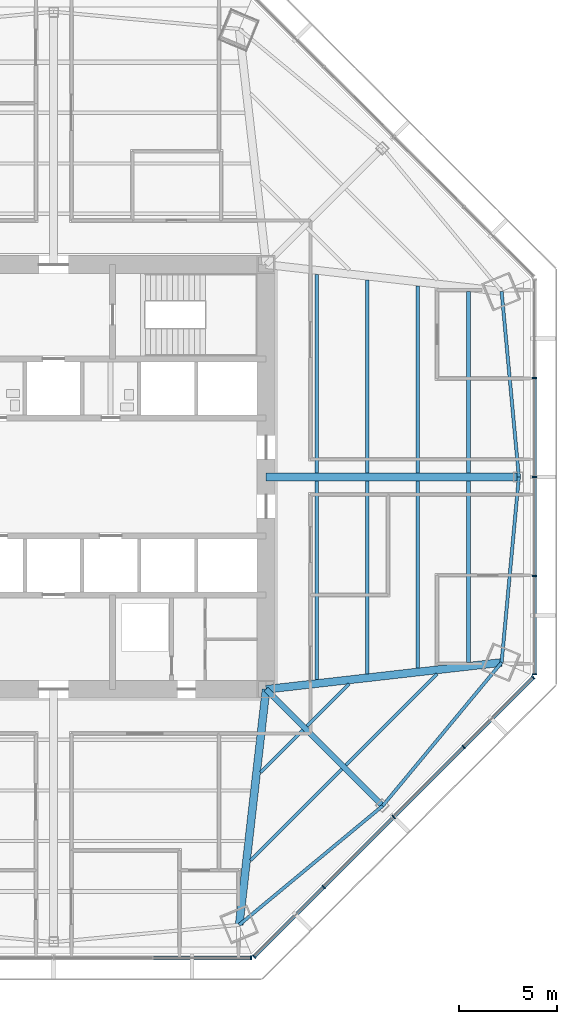
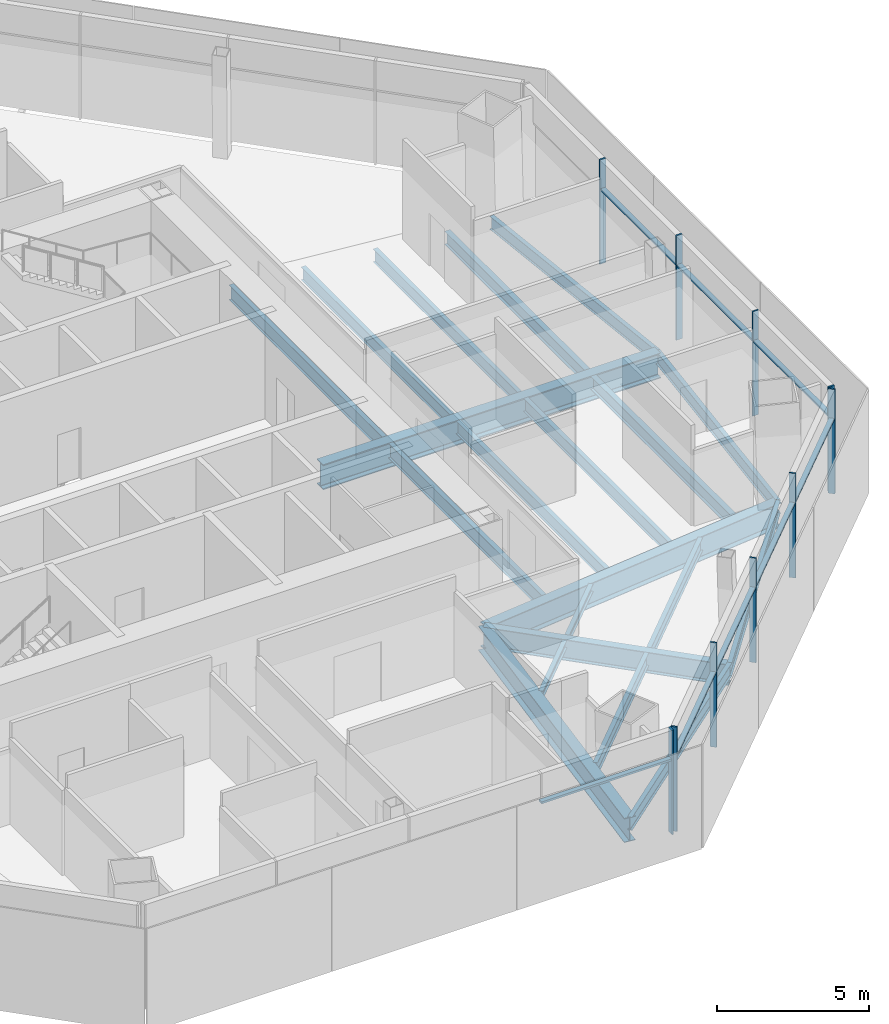
# One storey, part 4 of 15: 20 beams, 18 members, 3 elements without a shape of their own.
"""IFC4 building model written with IfcOpenShell, lengths in metres."""

from ifc_helpers import new_model, si_unit, direction, frame, origin, origin_2d, place, context, subcontext, project, spatial, rectangle, i_section, extrude, source, transform, mapped, material, material_profile, profile_set, type_object, type_shapes, element, aggregate, save


model = new_model("IFC4")

# Units and contexts
model_context = context("Model", 3, precision=1e-05, world=origin(), true_north=direction((0.0, 1.0)))
body_context = subcontext(model_context, "Body", "Model", "MODEL_VIEW")
ifc_project = project(units=[si_unit("LENGTHUNIT", "METRE"), si_unit("AREAUNIT", "SQUARE_METRE"), si_unit("VOLUMEUNIT", "CUBIC_METRE"), si_unit("PLANEANGLEUNIT", "RADIAN"), si_unit("MASSUNIT", "GRAM", prefix="KILO")], contexts=[model_context])

# Site, building, storey
site_placement = place(None, origin())
site = spatial("IfcSite", under=ifc_project, at=site_placement, CompositionType="ELEMENT")
building_placement = place(site_placement, origin())
building = spatial("IfcBuilding", under=site, at=building_placement, Name="Mashrafa Tower", CompositionType="ELEMENT")
storey_placement = place(building_placement, frame((0.0, 0.0, 126.0)))
storey = spatial("IfcBuildingStorey", under=building, at=storey_placement, Name="L28", CompositionType="ELEMENT", Elevation=126.0)

# Beams
ifc_material_1 = material(Name="Steel ASTM A992", Category="steel")
ifc_material_profile_1 = material_profile(ifc_material_1, i_section(OverallWidth=0.164794921875, OverallDepth=0.309814453125, WebThickness=0.005859375, FlangeThickness=0.009765625, FilletRadius=0.007568359375, at=origin_2d()), Name="W12X26")
ifc_profile_set_1 = profile_set([ifc_material_profile_1], Name="Steel ASTM A992")
beam_type_1 = type_object("IfcBeamType", Name="Beam W12X26", PredefinedType="BEAM", material=ifc_profile_set_1)
for number, where, z_axis, x_axis, name in (
    (1, (12.672119140625, -12.87890625, -0.31982421875), (-0.707106781187, -0.707106781187, 0.0), (0.707106781187, -0.707106781187, 0.0), "Floor beam L28 035"),
    (2, (15.031494140625, -10.51953125, -0.31982421875), (-0.707106781187, -0.707106781187, 0.0), (0.707106781187, -0.707106781187, 0.0), "Floor beam L28 041"),
):
    element("IfcBeam", number, at=place(storey_placement, frame(where, z_axis=z_axis, x_axis=x_axis)), inside=storey, type_object=beam_type_1, Name=name, PredefinedType="BEAM", context=body_context, shape_type="SweptSolid", body=[
        extrude(i_section(OverallWidth=0.164794921875, OverallDepth=0.309814453125, WebThickness=0.005859375, FlangeThickness=0.009765625, FilletRadius=0.007568359375, at=origin_2d()), origin(), (0.0, 0.0, 1.0), 3.044189453125),
    ])
ifc_material_2 = material(Name="Steel ASTM A992", Category="steel")
ifc_material_profile_2 = material_profile(ifc_material_2, i_section(OverallWidth=0.1650390625, OverallDepth=0.52587890625, WebThickness=0.0087890625, FlangeThickness=0.011474609375, FilletRadius=0.0126953125, at=origin_2d()), Name="W21X44")
ifc_profile_set_2 = profile_set([ifc_material_profile_2], Name="Steel ASTM A992")
beam_type_2 = type_object("IfcBeamType", Name="Beam W21X44", PredefinedType="BEAM", material=ifc_profile_set_2)
beam_1_placement = place(storey_placement, frame((14.647705078125, -14.8544921875, -0.427978515625), z_axis=(-0.707106781187, -0.707106781187, 0.0), x_axis=(0.707106781187, -0.707106781187, 0.0)))
element("IfcBeam", 3, at=beam_1_placement, inside=storey, type_object=beam_type_2, Name="Floor beam L28 039", PredefinedType="BEAM", context=body_context, shape_type="SweptSolid", body=[
    extrude(i_section(OverallWidth=0.1650390625, OverallDepth=0.52587890625, WebThickness=0.0087890625, FlangeThickness=0.011474609375, FilletRadius=0.0126953125, at=origin_2d()), origin(), (0.0, 0.0, 1.0), 6.557373046875),
])
for number, where, z_axis, x_axis, name in (
    (4, (15.94189453125, -0.20068359375, -0.427978515625), (0.0, -1.0, 0.0), (1.0, 0.0, 0.0), "Floor beam L28 042"),
    (5, (15.94189453125, 10.01171875, -0.427978515625), (0.0, -1.0, 0.0), (1.0, 0.0, 0.0), "Floor beam L28 043"),
):
    element("IfcBeam", number, at=place(storey_placement, frame(where, z_axis=z_axis, x_axis=x_axis)), inside=storey, type_object=beam_type_2, Name=name, PredefinedType="BEAM", context=body_context, shape_type="SweptSolid", body=[
        extrude(i_section(OverallWidth=0.1650390625, OverallDepth=0.52587890625, WebThickness=0.0087890625, FlangeThickness=0.011474609375, FilletRadius=0.0126953125, at=origin_2d()), origin(), (0.0, 0.0, 1.0), 9.81103515625),
    ])
for number, where, z_axis, x_axis, name in (
    (6, (18.512939453125, -0.20068359375, -0.427978515625), (0.0, -1.0, 0.0), (1.0, 0.0, 0.0), "Floor beam L28 044"),
    (7, (18.512939453125, 9.718505859375, -0.427978515625), (0.0, -1.0, 0.0), (1.0, 0.0, 0.0), "Floor beam L28 045"),
):
    element("IfcBeam", number, at=place(storey_placement, frame(where, z_axis=z_axis, x_axis=x_axis)), inside=storey, type_object=beam_type_2, Name=name, PredefinedType="BEAM", context=body_context, shape_type="SweptSolid", body=[
        extrude(i_section(OverallWidth=0.1650390625, OverallDepth=0.52587890625, WebThickness=0.0087890625, FlangeThickness=0.011474609375, FilletRadius=0.0126953125, at=origin_2d()), origin(), (0.0, 0.0, 1.0), 9.517822265625),
    ])
beam_2_placement = place(storey_placement, frame((19.4912109375, -10.010986328125, -0.427978515625), z_axis=(-0.707106781187, -0.707106781187, 0.0), x_axis=(0.707106781187, -0.707106781187, 0.0)))
element("IfcBeam", 8, at=beam_2_placement, inside=storey, type_object=beam_type_2, Name="Floor beam L28 046", PredefinedType="BEAM", context=body_context, shape_type="SweptSolid", body=[
    extrude(i_section(OverallWidth=0.1650390625, OverallDepth=0.52587890625, WebThickness=0.0087890625, FlangeThickness=0.011474609375, FilletRadius=0.0126953125, at=origin_2d()), origin(), (0.0, 0.0, 1.0), 6.557373046875),
])
for number, where, z_axis, x_axis, name in (
    (9, (9.4345703125, -22.77685546875, -0.427978515625), (0.769588095303, 0.63854065146, 0.0), (-0.63854065146, 0.769588095303, 0.0), "Spandrel beam L28 074"),
    (10, (16.7265625, -16.7265625, -0.427978515625), (0.63854065146, 0.769588095303, 0.0), (-0.769588095303, 0.63854065146, 0.0), "Spandrel beam L28 076"),
):
    element("IfcBeam", number, at=place(storey_placement, frame(where, z_axis=z_axis, x_axis=x_axis)), inside=storey, type_object=beam_type_2, Name=name, PredefinedType="BEAM", context=body_context, shape_type="SweptSolid", body=[
        extrude(i_section(OverallWidth=0.1650390625, OverallDepth=0.52587890625, WebThickness=0.0087890625, FlangeThickness=0.011474609375, FilletRadius=0.0126953125, at=origin_2d()), origin(), (0.0, 0.0, 1.0), 9.47509765625),
    ])
for number, where, z_axis, x_axis, name in (
    (11, (22.77685546875, -9.4345703125, -0.427978515625), (0.092679804998, 0.995695964512, 0.0), (-0.995695964512, 0.092679804998, 0.0), "Spandrel beam L28 078"),
    (12, (23.655029296875, 0.0, -0.427978515625), (-0.092679804998, 0.995695964512, 0.0), (-0.995695964512, -0.092679804998, 0.0), "Spandrel beam L28 080"),
):
    element("IfcBeam", number, at=place(storey_placement, frame(where, z_axis=z_axis, x_axis=x_axis)), inside=storey, type_object=beam_type_2, Name=name, PredefinedType="BEAM", context=body_context, shape_type="SweptSolid", body=[
        extrude(i_section(OverallWidth=0.1650390625, OverallDepth=0.52587890625, WebThickness=0.0087890625, FlangeThickness=0.011474609375, FilletRadius=0.0126953125, at=origin_2d()), origin(), (0.0, 0.0, 1.0), 9.475341796875),
    ])
ifc_material_3 = material(Name="Steel ASTM A992", Category="steel")
ifc_material_profile_3 = material_profile(ifc_material_3, i_section(OverallWidth=0.209228515625, OverallDepth=0.533447265625, WebThickness=0.01025390625, FlangeThickness=0.015625, FilletRadius=0.012939453125, at=origin_2d()), Name="W21X62")
ifc_profile_set_3 = profile_set([ifc_material_profile_3], Name="Steel ASTM A992")
beam_type_3 = type_object("IfcBeamType", Name="Beam W21X62", PredefinedType="BEAM", material=ifc_profile_set_3)
for number, where, z_axis, x_axis, name in (
    (13, (21.083984375, -0.20068359375, -0.431640625), (0.0, -1.0, 0.0), (1.0, 0.0, 0.0), "Floor beam L28 047"),
    (14, (21.083984375, 9.425537109375, -0.431640625), (0.0, -1.0, 0.0), (1.0, 0.0, 0.0), "Floor beam L28 048"),
):
    element("IfcBeam", number, at=place(storey_placement, frame(where, z_axis=z_axis, x_axis=x_axis)), inside=storey, type_object=beam_type_3, Name=name, PredefinedType="BEAM", context=body_context, shape_type="SweptSolid", body=[
        extrude(i_section(OverallWidth=0.209228515625, OverallDepth=0.533447265625, WebThickness=0.01025390625, FlangeThickness=0.015625, FilletRadius=0.012939453125, at=origin_2d()), origin(), (0.0, 0.0, 1.0), 9.224853515625),
    ])
ifc_material_4 = material(Name="Steel ASTM A992", Category="steel")
ifc_material_profile_4 = material_profile(ifc_material_4, i_section(OverallWidth=0.177978515625, OverallDepth=0.599365234375, WebThickness=0.010009765625, FlangeThickness=0.012939453125, FilletRadius=0.012939453125, at=origin_2d()), Name="W24X55")
ifc_profile_set_4 = profile_set([ifc_material_profile_4], Name="Steel ASTM A992")
beam_type_4 = type_object("IfcBeamType", Name="Beam W24X55", PredefinedType="BEAM", material=ifc_profile_set_4)
for number, where, z_axis, x_axis, name in (
    (15, (13.37109375, -0.20068359375, -0.464599609375), (0.0, -1.0, 0.0), (1.0, 0.0, 0.0), "Floor beam L28 037"),
    (16, (13.37109375, 10.304931640625, -0.464599609375), (0.0, -1.0, 0.0), (1.0, 0.0, 0.0), "Floor beam L28 038"),
):
    element("IfcBeam", number, at=place(storey_placement, frame(where, z_axis=z_axis, x_axis=x_axis)), inside=storey, type_object=beam_type_4, Name=name, PredefinedType="BEAM", context=body_context, shape_type="SweptSolid", body=[
        extrude(i_section(OverallWidth=0.177978515625, OverallDepth=0.599365234375, WebThickness=0.010009765625, FlangeThickness=0.012939453125, FilletRadius=0.012939453125, at=origin_2d()), origin(), (0.0, 0.0, 1.0), 10.104248046875),
    ])
ifc_material_5 = material(Name="Steel ASTM A992", Category="steel")
ifc_material_profile_5 = material_profile(ifc_material_5, i_section(OverallWidth=0.2919921875, OverallDepth=0.8408203125, WebThickness=0.0146484375, FlangeThickness=0.021728515625, FilletRadius=0.017333984375, at=origin_2d()), Name="W33X130")
ifc_profile_set_5 = profile_set([ifc_material_profile_5], Name="Steel ASTM A992")
beam_type_5 = type_object("IfcBeamType", Name="Beam W33X130", PredefinedType="BEAM", material=ifc_profile_set_5)
beam_3_placement = place(storey_placement, frame((10.800048828125, -10.800048828125, -0.58544921875), z_axis=(0.707106781187, -0.707106781187, 0.0), x_axis=(0.707106781187, 0.707106781187, 0.0)))
element("IfcBeam", 17, at=beam_3_placement, inside=storey, type_object=beam_type_5, Name="Radial girder L28 059", PredefinedType="BEAM", context=body_context, shape_type="SweptSolid", body=[
    extrude(i_section(OverallWidth=0.2919921875, OverallDepth=0.8408203125, WebThickness=0.0146484375, FlangeThickness=0.021728515625, FilletRadius=0.017333984375, at=origin_2d()), origin(), (0.0, 0.0, 1.0), 8.38134765625),
])
ifc_material_6 = material(Name="Steel ASTM A992", Category="steel")
ifc_material_profile_6 = material_profile(ifc_material_6, i_section(OverallWidth=0.4013671875, OverallDepth=0.98291015625, WebThickness=0.0166015625, FlangeThickness=0.027099609375, FilletRadius=0.0126953125, at=origin_2d()), Name="W40X199")
ifc_profile_set_6 = profile_set([ifc_material_profile_6], Name="Steel ASTM A992")
beam_type_6 = type_object("IfcBeamType", Name="Beam W40X199", PredefinedType="BEAM", material=ifc_profile_set_6)
for number, where, z_axis, x_axis, name in (
    (18, (10.800048828125, -10.800048828125, -0.656494140625), (-0.113276407675, -0.993563513553, 0.0), (0.993563513553, -0.113276407675, 0.0), "Radial girder L28 058"),
    (19, (10.800048828125, -10.800048828125, -0.656494140625), (0.993563513553, 0.113276407675, 0.0), (-0.113276407675, 0.993563513553, 0.0), "Radial girder L28 060"),
):
    element("IfcBeam", number, at=place(storey_placement, frame(where, z_axis=z_axis, x_axis=x_axis)), inside=storey, type_object=beam_type_6, Name=name, PredefinedType="BEAM", context=body_context, shape_type="SweptSolid", body=[
        extrude(i_section(OverallWidth=0.4013671875, OverallDepth=0.98291015625, WebThickness=0.0166015625, FlangeThickness=0.027099609375, FilletRadius=0.0126953125, at=origin_2d()), origin(), (0.0, 0.0, 1.0), 12.054443359375),
    ])
ifc_material_7 = material(Name="Steel ASTM A992", Category="steel")
ifc_material_profile_7 = material_profile(ifc_material_7, i_section(OverallWidth=0.4013671875, OverallDepth=1.010986328125, WebThickness=0.023681640625, FlangeThickness=0.0419921875, FilletRadius=0.02001953125, at=origin_2d()), Name="W40X297")
ifc_profile_set_7 = profile_set([ifc_material_profile_7], Name="Steel ASTM A992")
beam_type_7 = type_object("IfcBeamType", Name="Beam W40X297", PredefinedType="BEAM", material=ifc_profile_set_7)
beam_4_placement = place(storey_placement, frame((10.800048828125, 0.0, -0.67041015625), z_axis=(1.0, 0.0, 0.0), x_axis=(0.0, 1.0, 0.0)))
element("IfcBeam", 20, at=beam_4_placement, inside=storey, type_object=beam_type_7, Name="Radial girder L28 061", PredefinedType="BEAM", context=body_context, shape_type="SweptSolid", body=[
    extrude(i_section(OverallWidth=0.4013671875, OverallDepth=1.010986328125, WebThickness=0.023681640625, FlangeThickness=0.0419921875, FilletRadius=0.02001953125, at=origin_2d()), origin(), (0.0, 0.0, 1.0), 12.85498046875),
])

# Curtain wall, members
ifc_material_8 = material(Name="Unitised aluminium curtain wall", Category="aluminium")
curtain_wall_type = type_object("IfcCurtainWallType", Name="Office curtain wall, zone 2 CW-B 225 deep", PredefinedType="NOTDEFINED", material=ifc_material_8)
curtain_wall_1_placement = place(storey_placement, origin())
curtain_wall_1 = element("IfcCurtainWall", 21, at=curtain_wall_1_placement, inside=storey, type_object=curtain_wall_type, Name="Office curtain wall, zone 2 L28 east", PredefinedType="NOTDEFINED")
ifc_material_9 = material(Name="Extruded aluminium mullion", Category="aluminium")
ifc_material_profile_8 = material_profile(ifc_material_9, rectangle(XDim=0.22509765625, YDim=0.06494140625, at=origin_2d()), Name="Mullion 65x225")
ifc_profile_set_8 = profile_set([ifc_material_profile_8], Name="Extruded aluminium mullion")
member_type_1 = type_object("IfcMemberType", Name="Mullion CW-B 65 x 225", PredefinedType="MULLION", material=ifc_profile_set_8)
shared_shape_1 = source(origin(), body_context, "Body", "SweptSolid", [
    extrude(rectangle(XDim=0.22509765625, YDim=0.06494140625, at=origin_2d()), origin(), (0.0, 0.0, 1.0), 4.199951171875),
])
type_shapes(member_type_1, [shared_shape_1])
member_1_placement = place(storey_placement, frame((24.450439453125, -10.03857421875, 0.0), z_axis=(0.0, 0.0, 1.0), x_axis=(-1.0, 0.0, 0.0)))
member_1 = element("IfcMember", 22, at=member_1_placement, type_object=member_type_1, Name="CW-B mullion 1", PredefinedType="MULLION", context=body_context, shape_type="MappedRepresentation", body=[
    mapped(shared_shape_1, transform((0.0, 0.0, 0.0))),
])
member_2_placement = place(storey_placement, frame((24.450439453125, -5.03564453125, 0.0), z_axis=(0.0, 0.0, 1.0), x_axis=(-1.0, 0.0, 0.0)))
member_2 = element("IfcMember", 23, at=member_2_placement, type_object=member_type_1, Name="CW-B mullion 2", PredefinedType="MULLION", context=body_context, shape_type="MappedRepresentation", body=[
    mapped(shared_shape_1, transform((0.0, 0.0, 0.0))),
])
member_3_placement = place(storey_placement, frame((24.450439453125, 0.0, 0.0), z_axis=(0.0, 0.0, 1.0), x_axis=(-1.0, 0.0, 0.0)))
member_3 = element("IfcMember", 24, at=member_3_placement, type_object=member_type_1, Name="CW-B mullion 3", PredefinedType="MULLION", context=body_context, shape_type="MappedRepresentation", body=[
    mapped(shared_shape_1, transform((0.0, 0.0, 0.0))),
])
member_4_placement = place(storey_placement, frame((24.450439453125, 5.03564453125, 0.0), z_axis=(0.0, 0.0, 1.0), x_axis=(-1.0, 0.0, 0.0)))
member_4 = element("IfcMember", 25, at=member_4_placement, type_object=member_type_1, Name="CW-B mullion 4", PredefinedType="MULLION", context=body_context, shape_type="MappedRepresentation", body=[
    mapped(shared_shape_1, transform((0.0, 0.0, 0.0))),
])

# Curtain wall, member
curtain_wall_2_placement = place(storey_placement, origin())
curtain_wall_2 = element("IfcCurtainWall", 26, at=curtain_wall_2_placement, inside=storey, type_object=curtain_wall_type, Name="Office curtain wall, zone 2 L28 south", PredefinedType="NOTDEFINED")
member_5_placement = place(storey_placement, frame((10.03857421875, -24.450439453125, 0.0), z_axis=(0.0, 0.0, 1.0), x_axis=(0.0, 1.0, 0.0)))
member_5 = element("IfcMember", 27, at=member_5_placement, type_object=member_type_1, Name="CW-B mullion 5", PredefinedType="MULLION", context=body_context, shape_type="MappedRepresentation", body=[
    mapped(shared_shape_1, transform((0.0, 0.0, 0.0))),
])

# Curtain wall, members
curtain_wall_3_placement = place(storey_placement, origin())
curtain_wall_3 = element("IfcCurtainWall", 28, at=curtain_wall_3_placement, inside=storey, type_object=curtain_wall_type, Name="Office curtain wall, zone 2 L28 south-east", PredefinedType="NOTDEFINED")
member_6_placement = place(storey_placement, frame((10.190673828125, -24.387451171875, 0.0), z_axis=(0.0, 0.0, 1.0), x_axis=(-0.707106781187, 0.707106781187, 0.0)))
member_6 = element("IfcMember", 29, at=member_6_placement, type_object=member_type_1, Name="CW-B mullion 1", PredefinedType="MULLION", context=body_context, shape_type="MappedRepresentation", body=[
    mapped(shared_shape_1, transform((0.0, 0.0, 0.0))),
])
member_7_placement = place(storey_placement, frame((13.728271484375, -20.849609375, 0.0), z_axis=(0.0, 0.0, 1.0), x_axis=(-0.707106781187, 0.707106781187, 0.0)))
member_7 = element("IfcMember", 30, at=member_7_placement, type_object=member_type_1, Name="CW-B mullion 2", PredefinedType="MULLION", context=body_context, shape_type="MappedRepresentation", body=[
    mapped(shared_shape_1, transform((0.0, 0.0, 0.0))),
])
member_8_placement = place(storey_placement, frame((17.2890625, -17.2890625, 0.0), z_axis=(0.0, 0.0, 1.0), x_axis=(-0.707106781187, 0.707106781187, 0.0)))
member_8 = element("IfcMember", 31, at=member_8_placement, type_object=member_type_1, Name="CW-B mullion 3", PredefinedType="MULLION", context=body_context, shape_type="MappedRepresentation", body=[
    mapped(shared_shape_1, transform((0.0, 0.0, 0.0))),
])
member_9_placement = place(storey_placement, frame((20.849609375, -13.728271484375, 0.0), z_axis=(0.0, 0.0, 1.0), x_axis=(-0.707106781187, 0.707106781187, 0.0)))
member_9 = element("IfcMember", 32, at=member_9_placement, type_object=member_type_1, Name="CW-B mullion 4", PredefinedType="MULLION", context=body_context, shape_type="MappedRepresentation", body=[
    mapped(shared_shape_1, transform((0.0, 0.0, 0.0))),
])
member_10_placement = place(storey_placement, frame((24.387451171875, -10.190673828125, 0.0), z_axis=(0.0, 0.0, 1.0), x_axis=(-0.707106781187, 0.707106781187, 0.0)))
member_10 = element("IfcMember", 33, at=member_10_placement, type_object=member_type_1, Name="CW-B mullion 5", PredefinedType="MULLION", context=body_context, shape_type="MappedRepresentation", body=[
    mapped(shared_shape_1, transform((0.0, 0.0, 0.0))),
])

# Member
ifc_material_10 = material(Name="Extruded aluminium transom", Category="aluminium")
ifc_material_profile_9 = material_profile(ifc_material_10, rectangle(XDim=0.179931640625, YDim=0.080078125, at=origin_2d()), Name="Transom 80x180")
ifc_profile_set_9 = profile_set([ifc_material_profile_9], Name="Extruded aluminium transom")
member_type_2 = type_object("IfcMemberType", Name="Transom CW-B 80 x 180", PredefinedType="MULLION", material=ifc_profile_set_9)
shared_shape_2 = source(origin(), body_context, "Body", "SweptSolid", [
    extrude(rectangle(XDim=0.179931640625, YDim=0.080078125, at=origin_2d()), origin(), (0.0, 0.0, 1.0), 4.93798828125),
])
member_11_placement = place(storey_placement, frame((24.450439453125, -10.006103515625, 3.0), z_axis=(0.0, 1.0, 0.0), x_axis=(-1.0, 0.0, 0.0)))
member_11 = element("IfcMember", 34, at=member_11_placement, type_object=member_type_2, Name="CW-B transom 1", PredefinedType="MULLION", context=body_context, shape_type="MappedRepresentation", body=[
    mapped(shared_shape_2, transform((0.0, 0.0, 0.0))),
])

member_12_placement = place(storey_placement, frame((5.068115234375, -24.450439453125, 3.0), z_axis=(1.0, 0.0, 0.0), x_axis=(0.0, 1.0, 0.0)))
member_12 = element("IfcMember", 35, at=member_12_placement, type_object=member_type_2, Name="CW-B transom 4", PredefinedType="MULLION", context=body_context, shape_type="MappedRepresentation", body=[
    mapped(shared_shape_2, transform((0.0, 0.0, 0.0))),
])

aggregate(curtain_wall_2, [member_5, member_12])

member_13_placement = place(storey_placement, frame((10.213623046875, -24.3642578125, 3.0), z_axis=(0.707106781187, 0.707106781187, 0.0), x_axis=(-0.707106781187, 0.707106781187, 0.0)))
member_13 = element("IfcMember", 36, at=member_13_placement, type_object=member_type_2, Name="CW-B transom 1", PredefinedType="MULLION", context=body_context, shape_type="MappedRepresentation", body=[
    mapped(shared_shape_2, transform((0.0, 0.0, 0.0))),
])

member_14_placement = place(storey_placement, frame((20.87255859375, -13.705322265625, 3.0), z_axis=(0.707106781187, 0.707106781187, 0.0), x_axis=(-0.707106781187, 0.707106781187, 0.0)))
member_14 = element("IfcMember", 37, at=member_14_placement, type_object=member_type_2, Name="CW-B transom 4", PredefinedType="MULLION", context=body_context, shape_type="MappedRepresentation", body=[
    mapped(shared_shape_2, transform((0.0, 0.0, 0.0))),
])

shared_shape_3 = source(origin(), body_context, "Body", "SweptSolid", [
    extrude(rectangle(XDim=0.179931640625, YDim=0.080078125, at=origin_2d()), origin(), (0.0, 0.0, 1.0), 4.970458984375),
])
member_15_placement = place(storey_placement, frame((24.450439453125, -5.0029296875, 3.0), z_axis=(0.0, 1.0, 0.0), x_axis=(-1.0, 0.0, 0.0)))
member_15 = element("IfcMember", 38, at=member_15_placement, type_object=member_type_2, Name="CW-B transom 2", PredefinedType="MULLION", context=body_context, shape_type="MappedRepresentation", body=[
    mapped(shared_shape_3, transform((0.0, 0.0, 0.0))),
])

member_16_placement = place(storey_placement, frame((24.450439453125, 0.032470703125, 3.0), z_axis=(0.0, 1.0, 0.0), x_axis=(-1.0, 0.0, 0.0)))
member_16 = element("IfcMember", 39, at=member_16_placement, type_object=member_type_2, Name="CW-B transom 3", PredefinedType="MULLION", context=body_context, shape_type="MappedRepresentation", body=[
    mapped(shared_shape_3, transform((0.0, 0.0, 0.0))),
])

aggregate(curtain_wall_1, [member_1, member_2, member_3, member_4, member_11, member_15, member_16])

shared_shape_4 = source(origin(), body_context, "Body", "SweptSolid", [
    extrude(rectangle(XDim=0.179931640625, YDim=0.080078125, at=origin_2d()), origin(), (0.0, 0.0, 1.0), 4.970703125),
])
type_shapes(member_type_2, [shared_shape_2, shared_shape_3, shared_shape_4])
member_17_placement = place(storey_placement, frame((13.751220703125, -20.82666015625, 3.0), z_axis=(0.707131339048, 0.707082222472, 0.0), x_axis=(-0.707082222472, 0.707131339048, 0.0)))
member_17 = element("IfcMember", 40, at=member_17_placement, type_object=member_type_2, Name="CW-B transom 2", PredefinedType="MULLION", context=body_context, shape_type="MappedRepresentation", body=[
    mapped(shared_shape_4, transform((0.0, 0.0, 0.0))),
])

member_18_placement = place(storey_placement, frame((17.31201171875, -17.26611328125, 3.0), z_axis=(0.707082222472, 0.707131339048, 0.0), x_axis=(-0.707131339048, 0.707082222472, 0.0)))
member_18 = element("IfcMember", 41, at=member_18_placement, type_object=member_type_2, Name="CW-B transom 3", PredefinedType="MULLION", context=body_context, shape_type="MappedRepresentation", body=[
    mapped(shared_shape_4, transform((0.0, 0.0, 0.0))),
])

aggregate(curtain_wall_3, [member_6, member_7, member_8, member_9, member_10, member_13, member_17, member_18, member_14])

save(model, "model.ifc")
